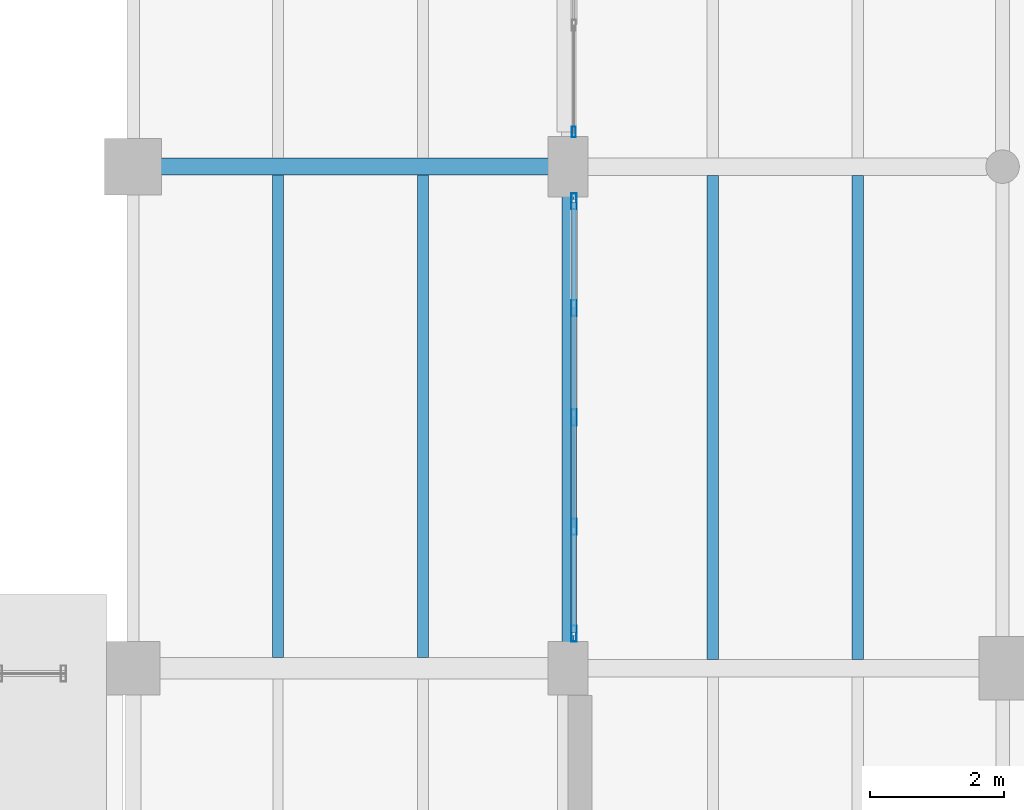
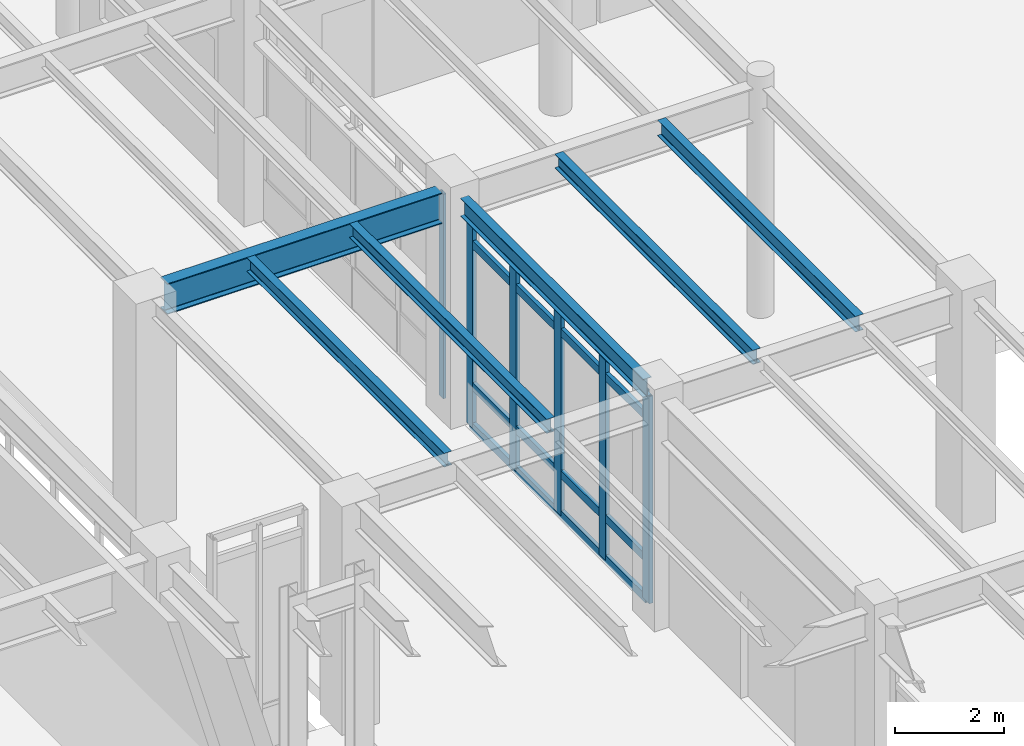
# One storey, part 47 of 203: 10 members, 6 beams, 2 elements without a shape of their own.
"""IFC4 building model written with IfcOpenShell, lengths in metres."""

from ifc_helpers import new_model, si_unit, direction, frame, origin, origin_2d, place, context, subcontext, project, spatial, hollow_rectangle, i_section, extrude, material, material_profile, profile_set, type_object, element, aggregate, save


model = new_model("IFC4")

# Units and contexts
model_context = context("Model", 3, precision=1e-05, world=origin(), true_north=direction((0.0, 1.0)))
body_context = subcontext(model_context, "Body", "Model", "MODEL_VIEW")
ifc_project = project(units=[si_unit("LENGTHUNIT", "METRE"), si_unit("AREAUNIT", "SQUARE_METRE"), si_unit("VOLUMEUNIT", "CUBIC_METRE"), si_unit("PLANEANGLEUNIT", "RADIAN"), si_unit("MASSUNIT", "GRAM", prefix="KILO"), si_unit("THERMODYNAMICTEMPERATUREUNIT", "KELVIN"), si_unit("POWERUNIT", "WATT")], contexts=[model_context])

# Site, building, storey
site_placement = place(None, origin())
site = spatial("IfcSite", under=ifc_project, at=site_placement, CompositionType="ELEMENT")
building_placement = place(site_placement, origin())
building = spatial("IfcBuilding", under=site, at=building_placement, Name="Tepalcoro Natatorium and Aquatics Centre", CompositionType="ELEMENT")
storey_placement = place(building_placement, origin())
storey = spatial("IfcBuildingStorey", under=building, at=storey_placement, Name="L00", CompositionType="ELEMENT", Elevation=0.0)

# Beams
ifc_material_1 = material(Name="Steel ASTM A992 Grade 50 (Fy 345 MPa)", Category="steel")
ifc_material_profile_1 = material_profile(ifc_material_1, i_section(OverallWidth=0.177978515625, OverallDepth=0.406005859375, WebThickness=0.008056640625, FlangeThickness=0.012939453125, FilletRadius=0.013916015625, at=origin_2d()), Name="W16X40")
ifc_profile_set_1 = profile_set([ifc_material_profile_1], Name="Steel ASTM A992 Grade 50 (Fy 345 MPa)")
beam_type_1 = type_object("IfcBeamType", Name="BM_W16x40", PredefinedType="BEAM", material=ifc_profile_set_1)
beam_1_placement = place(storey_placement, frame((46.5, 44.385009765625, 4.882080078125), z_axis=(0.0, 1.0, 0.0), x_axis=(-1.0, 0.0, 0.0)))
element("IfcBeam", 1, at=beam_1_placement, inside=storey, type_object=beam_type_1, Name="V1 L00 Grid Girder Y", PredefinedType="BEAM", context=body_context, shape_type="SweptSolid", body=[
    extrude(i_section(OverallWidth=0.177978515625, OverallDepth=0.406005859375, WebThickness=0.008056640625, FlangeThickness=0.012939453125, FilletRadius=0.013916015625, at=origin_2d()), origin(), (0.0, 0.0, 1.0), 6.679931640625),
])
ifc_material_profile_2 = material_profile(ifc_material_1, i_section(OverallWidth=0.25390625, OverallDepth=0.68798828125, WebThickness=0.012939453125, FlangeThickness=0.02099609375, FilletRadius=0.013916015625, at=origin_2d()), Name="W27X102")
ifc_profile_set_2 = profile_set([ifc_material_profile_2], Name="Steel ASTM A992 Grade 50 (Fy 345 MPa)")
beam_type_2 = type_object("IfcBeamType", Name="BM_W27x102", PredefinedType="BEAM", material=ifc_profile_set_2)
beam_2_placement = place(storey_placement, frame((40.409912109375, 51.5, 4.740966796875), z_axis=(1.0, 0.0, 0.0), x_axis=(0.0, 1.0, 0.0)))
element("IfcBeam", 2, at=beam_2_placement, inside=storey, type_object=beam_type_2, Name="V1 L00 Grid Girder X", PredefinedType="BEAM", context=body_context, shape_type="SweptSolid", body=[
    extrude(i_section(OverallWidth=0.25390625, OverallDepth=0.68798828125, WebThickness=0.012939453125, FlangeThickness=0.02099609375, FilletRadius=0.013916015625, at=origin_2d()), origin(), (0.0, 0.0, 1.0), 5.80517578125),
])

# Curtain wall, member
ifc_material_2 = material(Name="Bronze-Anodised Extruded Aluminium Alloy EN AW-6063 T6", Category="aluminium")
curtain_wall_type_1 = type_object("IfcCurtainWallType", Name="CW_V2_DIVING", PredefinedType="USERDEFINED", material=ifc_material_2)
curtain_wall_1_placement = place(storey_placement, origin())
curtain_wall_1 = element("IfcCurtainWall", 3, at=curtain_wall_1_placement, inside=storey, type_object=curtain_wall_type_1, Name="V1 L00 W Unitised Curtain Wall Bay 7", ObjectType="FACETED SOLAR GLAZING", PredefinedType="USERDEFINED")
ifc_material_profile_3 = material_profile(ifc_material_2, hollow_rectangle(XDim=0.06005859375, YDim=0.159912109375, WallThickness=0.00390625, at=origin_2d()), Name="AL60X160X4")
ifc_profile_set_3 = profile_set([ifc_material_profile_3], Name="Bronze-Anodised Extruded Aluminium Alloy EN AW-6063 T6")
member_type_1 = type_object("IfcMemberType", Name="CW_MUL_60x160", PredefinedType="MULLION", material=ifc_profile_set_3)
member_1_placement = place(storey_placement, frame((46.590087890625, 52.02001953125, 0.02001953125), z_axis=(0.0, 0.0, 1.0), x_axis=(1.0, 0.0, 0.0)))
member_1 = element("IfcMember", 4, at=member_1_placement, type_object=member_type_1, Name="CW_V2_DIVING Curtain Wall Mullion", PredefinedType="MULLION", context=body_context, shape_type="SweptSolid", body=[
    extrude(hollow_rectangle(XDim=0.06005859375, YDim=0.159912109375, WallThickness=0.00390625, at=origin_2d()), origin(), (0.0, 0.0, 1.0), 4.56298828125),
])
aggregate(curtain_wall_1, [member_1])

# Curtain wall, members
curtain_wall_type_2 = type_object("IfcCurtainWallType", Name="CW_V1_PLINTH", PredefinedType="USERDEFINED", material=ifc_material_2)
curtain_wall_2_placement = place(storey_placement, origin())
curtain_wall_2 = element("IfcCurtainWall", 5, at=curtain_wall_2_placement, inside=storey, type_object=curtain_wall_type_2, Name="V1 L00 W Unitised Curtain Wall Bay 6", ObjectType="UNITISED STOREFRONT", PredefinedType="USERDEFINED")
ifc_material_profile_4 = material_profile(ifc_material_2, hollow_rectangle(XDim=0.080078125, YDim=0.239990234375, WallThickness=0.0048828125, at=origin_2d()), Name="AL80X240X5")
ifc_profile_set_4 = profile_set([ifc_material_profile_4], Name="Bronze-Anodised Extruded Aluminium Alloy EN AW-6063 T6")
member_type_2 = type_object("IfcMemberType", Name="CW_MUL_80x240", PredefinedType="MULLION", material=ifc_profile_set_4)
member_2_placement = place(storey_placement, frame((46.590087890625, 44.52001953125, 0.02001953125), z_axis=(0.0, 0.0, 1.0), x_axis=(1.0, 0.0, 0.0)))
member_2 = element("IfcMember", 6, at=member_2_placement, type_object=member_type_2, Name="CW_V1_PLINTH Curtain Wall Mullion", PredefinedType="MULLION", context=body_context, shape_type="SweptSolid", body=[
    extrude(hollow_rectangle(XDim=0.080078125, YDim=0.239990234375, WallThickness=0.0048828125, at=origin_2d()), origin(), (0.0, 0.0, 1.0), 4.6240234375),
])
member_3_placement = place(storey_placement, frame((46.590087890625, 46.114990234375, 0.02001953125), z_axis=(0.0, 0.0, 1.0), x_axis=(1.0, 0.0, 0.0)))
member_3 = element("IfcMember", 7, at=member_3_placement, type_object=member_type_2, Name="CW_V1_PLINTH Curtain Wall Mullion", PredefinedType="MULLION", context=body_context, shape_type="SweptSolid", body=[
    extrude(hollow_rectangle(XDim=0.080078125, YDim=0.239990234375, WallThickness=0.0048828125, at=origin_2d()), origin(), (0.0, 0.0, 1.0), 4.6240234375),
])
member_4_placement = place(storey_placement, frame((46.590087890625, 47.75, 0.02001953125), z_axis=(0.0, 0.0, 1.0), x_axis=(1.0, 0.0, 0.0)))
member_4 = element("IfcMember", 8, at=member_4_placement, type_object=member_type_2, Name="CW_V1_PLINTH Curtain Wall Mullion", PredefinedType="MULLION", context=body_context, shape_type="SweptSolid", body=[
    extrude(hollow_rectangle(XDim=0.080078125, YDim=0.239990234375, WallThickness=0.0048828125, at=origin_2d()), origin(), (0.0, 0.0, 1.0), 4.6240234375),
])
member_5_placement = place(storey_placement, frame((46.590087890625, 49.385009765625, 0.02001953125), z_axis=(0.0, 0.0, 1.0), x_axis=(1.0, 0.0, 0.0)))
member_5 = element("IfcMember", 9, at=member_5_placement, type_object=member_type_2, Name="CW_V1_PLINTH Curtain Wall Mullion", PredefinedType="MULLION", context=body_context, shape_type="SweptSolid", body=[
    extrude(hollow_rectangle(XDim=0.080078125, YDim=0.239990234375, WallThickness=0.0048828125, at=origin_2d()), origin(), (0.0, 0.0, 1.0), 4.6240234375),
])
member_6_placement = place(storey_placement, frame((46.590087890625, 50.97998046875, 0.02001953125), z_axis=(0.0, 0.0, 1.0), x_axis=(1.0, 0.0, 0.0)))
member_6 = element("IfcMember", 10, at=member_6_placement, type_object=member_type_2, Name="CW_V1_PLINTH Curtain Wall Mullion", PredefinedType="MULLION", context=body_context, shape_type="SweptSolid", body=[
    extrude(hollow_rectangle(XDim=0.080078125, YDim=0.239990234375, WallThickness=0.0048828125, at=origin_2d()), origin(), (0.0, 0.0, 1.0), 4.6240234375),
])
ifc_material_profile_5 = material_profile(ifc_material_2, hollow_rectangle(XDim=0.080078125, YDim=0.179931640625, WallThickness=0.0048828125, at=origin_2d()), Name="AL80X180X5")
ifc_profile_set_5 = profile_set([ifc_material_profile_5], Name="Bronze-Anodised Extruded Aluminium Alloy EN AW-6063 T6")
member_type_3 = type_object("IfcMemberType", Name="CW_TRN_80x180", PredefinedType="USERDEFINED", material=ifc_profile_set_5)
member_7_placement = place(storey_placement, frame((46.590087890625, 44.530029296875, 0.050048828125), z_axis=(0.0, 1.0, 0.0), x_axis=(-1.0, 0.0, 0.0)))
member_7 = element("IfcMember", 11, at=member_7_placement, type_object=member_type_3, Name="CW_V1_PLINTH Curtain Wall Transom", ObjectType="TRANSOM", PredefinedType="USERDEFINED", context=body_context, shape_type="SweptSolid", body=[
    extrude(hollow_rectangle(XDim=0.080078125, YDim=0.179931640625, WallThickness=0.0048828125, at=origin_2d()), origin(), (0.0, 0.0, 1.0), 6.43994140625),
])
member_8_placement = place(storey_placement, frame((46.590087890625, 44.530029296875, 0.949951171875), z_axis=(0.0, 1.0, 0.0), x_axis=(-1.0, 0.0, 0.0)))
member_8 = element("IfcMember", 12, at=member_8_placement, type_object=member_type_3, Name="CW_V1_PLINTH Curtain Wall Transom", ObjectType="TRANSOM", PredefinedType="USERDEFINED", context=body_context, shape_type="SweptSolid", body=[
    extrude(hollow_rectangle(XDim=0.080078125, YDim=0.179931640625, WallThickness=0.0048828125, at=origin_2d()), origin(), (0.0, 0.0, 1.0), 6.43994140625),
])
member_9_placement = place(storey_placement, frame((46.590087890625, 44.530029296875, 4.114013671875), z_axis=(0.0, 1.0, 0.0), x_axis=(-1.0, 0.0, 0.0)))
member_9 = element("IfcMember", 13, at=member_9_placement, type_object=member_type_3, Name="CW_V1_PLINTH Curtain Wall Transom", ObjectType="TRANSOM", PredefinedType="USERDEFINED", context=body_context, shape_type="SweptSolid", body=[
    extrude(hollow_rectangle(XDim=0.080078125, YDim=0.179931640625, WallThickness=0.0048828125, at=origin_2d()), origin(), (0.0, 0.0, 1.0), 6.43994140625),
])
member_10_placement = place(storey_placement, frame((46.590087890625, 44.530029296875, 4.614013671875), z_axis=(0.0, 1.0, 0.0), x_axis=(-1.0, 0.0, 0.0)))
member_10 = element("IfcMember", 14, at=member_10_placement, type_object=member_type_3, Name="CW_V1_PLINTH Curtain Wall Transom", ObjectType="TRANSOM", PredefinedType="USERDEFINED", context=body_context, shape_type="SweptSolid", body=[
    extrude(hollow_rectangle(XDim=0.080078125, YDim=0.179931640625, WallThickness=0.0048828125, at=origin_2d()), origin(), (0.0, 0.0, 1.0), 6.43994140625),
])
aggregate(curtain_wall_2, [member_2, member_3, member_4, member_5, member_6, member_7, member_8, member_9, member_10])

# Beams
ifc_material_profile_6 = material_profile(ifc_material_1, i_section(OverallWidth=0.1650390625, OverallDepth=0.31005859375, WebThickness=0.006103515625, FlangeThickness=0.010009765625, FilletRadius=0.013916015625, at=origin_2d()), Name="W12X26")
ifc_profile_set_6 = profile_set([ifc_material_profile_6], Name="Steel ASTM A992 Grade 50 (Fy 345 MPa)")
beam_type_3 = type_object("IfcBeamType", Name="JS_W12x26", PredefinedType="JOIST", material=ifc_profile_set_6)
beam_3_placement = place(storey_placement, frame((42.166748046875, 44.16259765625, 4.929931640625), z_axis=(0.0, 1.0, 0.0), x_axis=(-1.0, 0.0, 0.0)))
element("IfcBeam", 15, at=beam_3_placement, inside=storey, type_object=beam_type_3, Name="V1 L00 Floor Joist", PredefinedType="JOIST", context=body_context, shape_type="SweptSolid", body=[
    extrude(i_section(OverallWidth=0.1650390625, OverallDepth=0.31005859375, WebThickness=0.006103515625, FlangeThickness=0.010009765625, FilletRadius=0.013916015625, at=origin_2d()), origin(), (0.0, 0.0, 1.0), 7.21044921875),
])
ifc_material_profile_7 = material_profile(ifc_material_1, i_section(OverallWidth=0.1669921875, OverallDepth=0.318115234375, WebThickness=0.008056640625, FlangeThickness=0.012939453125, FilletRadius=0.013916015625, at=origin_2d()), Name="W12X35")
ifc_profile_set_7 = profile_set([ifc_material_profile_7], Name="Steel ASTM A992 Grade 50 (Fy 345 MPa)")
beam_type_4 = type_object("IfcBeamType", Name="JS_W12x35", PredefinedType="JOIST", material=ifc_profile_set_7)
beam_4_placement = place(storey_placement, frame((44.333251953125, 44.16259765625, 4.926025390625), z_axis=(0.0, 1.0, 0.0), x_axis=(-1.0, 0.0, 0.0)))
element("IfcBeam", 16, at=beam_4_placement, inside=storey, type_object=beam_type_4, Name="V1 L00 Floor Joist", PredefinedType="JOIST", context=body_context, shape_type="SweptSolid", body=[
    extrude(i_section(OverallWidth=0.1669921875, OverallDepth=0.318115234375, WebThickness=0.008056640625, FlangeThickness=0.012939453125, FilletRadius=0.013916015625, at=origin_2d()), origin(), (0.0, 0.0, 1.0), 7.21044921875),
])
beam_5_placement = place(storey_placement, frame((48.666748046875, 44.133544921875, 4.966064453125), z_axis=(0.0, 1.0, 0.0), x_axis=(-1.0, 0.0, 0.0)))
element("IfcBeam", 17, at=beam_5_placement, inside=storey, type_object=beam_type_4, Name="V1 L00 Floor Joist", PredefinedType="JOIST", context=body_context, shape_type="SweptSolid", body=[
    extrude(i_section(OverallWidth=0.1669921875, OverallDepth=0.318115234375, WebThickness=0.008056640625, FlangeThickness=0.012939453125, FilletRadius=0.013916015625, at=origin_2d()), origin(), (0.0, 0.0, 1.0), 7.23291015625),
])
ifc_material_profile_8 = material_profile(ifc_material_1, i_section(OverallWidth=0.1708984375, OverallDepth=0.35107421875, WebThickness=0.007080078125, FlangeThickness=0.010009765625, FilletRadius=0.013916015625, at=origin_2d()), Name="W14X30")
ifc_profile_set_8 = profile_set([ifc_material_profile_8], Name="Steel ASTM A992 Grade 50 (Fy 345 MPa)")
beam_type_5 = type_object("IfcBeamType", Name="JS_W14x30", PredefinedType="JOIST", material=ifc_profile_set_8)
beam_6_placement = place(storey_placement, frame((50.833251953125, 44.133544921875, 4.949462890625), z_axis=(0.0, 1.0, 0.0), x_axis=(-1.0, 0.0, 0.0)))
element("IfcBeam", 18, at=beam_6_placement, inside=storey, type_object=beam_type_5, Name="V1 L00 Floor Joist", PredefinedType="JOIST", context=body_context, shape_type="SweptSolid", body=[
    extrude(i_section(OverallWidth=0.1708984375, OverallDepth=0.35107421875, WebThickness=0.007080078125, FlangeThickness=0.010009765625, FilletRadius=0.013916015625, at=origin_2d()), origin(), (0.0, 0.0, 1.0), 7.23291015625),
])

save(model, "model.ifc")
